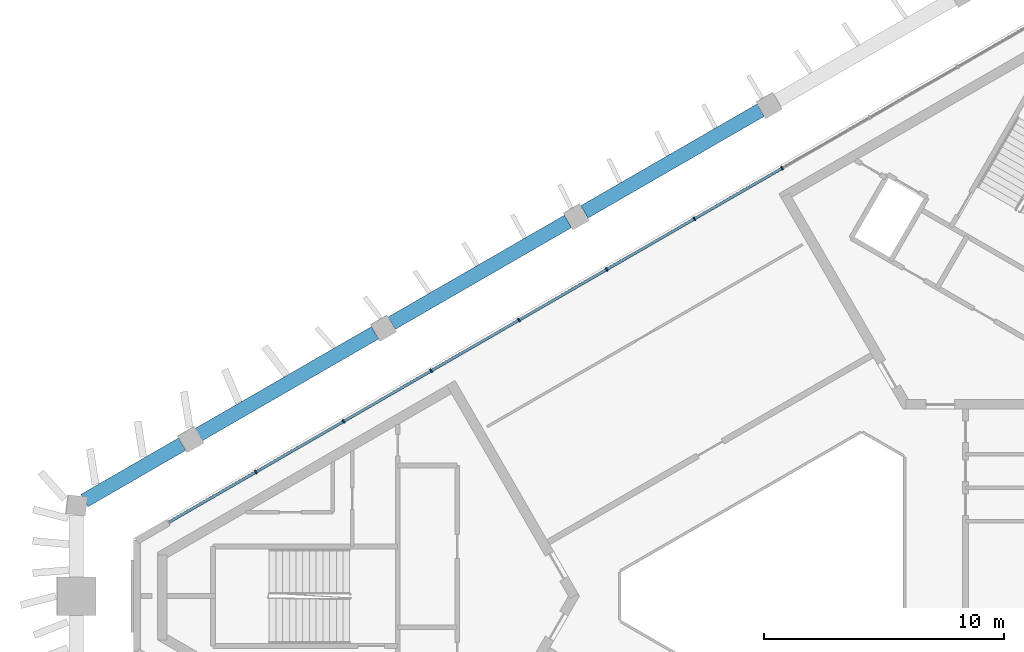
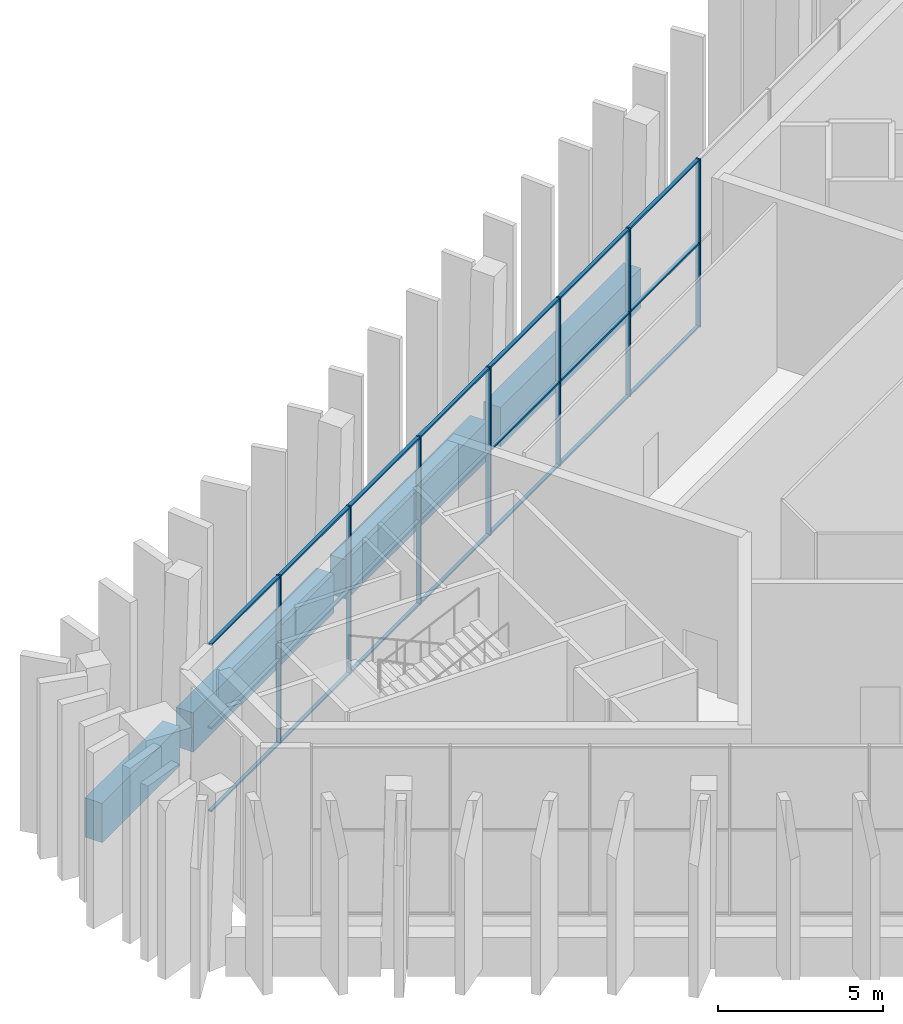
# One storey, part 5 of 13: 28 members, 4 beams, 1 element without a shape of its own.
"""IFC4 building model written with IfcOpenShell, lengths in metres."""

from ifc_helpers import new_model, si_unit, direction, frame, origin, origin_2d, place, context, subcontext, project, spatial, rectangle, extrude, material, layer, layer_set, material_profile, profile_set, type_object, element, aggregate, save


model = new_model("IFC4")

# Units and contexts
model_context = context("Model", 3, precision=1e-05, world=origin(), true_north=direction((0.0, 1.0)))
body_context = subcontext(model_context, "Body", "Model", "MODEL_VIEW")
ifc_project = project(units=[si_unit("LENGTHUNIT", "METRE"), si_unit("AREAUNIT", "SQUARE_METRE"), si_unit("VOLUMEUNIT", "CUBIC_METRE"), si_unit("PLANEANGLEUNIT", "RADIAN"), si_unit("MASSUNIT", "GRAM", prefix="KILO")], contexts=[model_context])

# Site, building, storey
site_placement = place(None, origin())
site = spatial("IfcSite", under=ifc_project, at=site_placement, CompositionType="ELEMENT")
building_placement = place(site_placement, origin())
building = spatial("IfcBuilding", under=site, at=building_placement, Name="Jabali Bay Hotel Tower and Convention Centre", CompositionType="ELEMENT")
storey_placement = place(building_placement, frame((0.0, 0.0, 315.800048828125)))
storey = spatial("IfcBuildingStorey", under=building, at=storey_placement, Name="L77", CompositionType="ELEMENT", Elevation=315.800048828125)

# Curtain wall, members
ifc_material_1 = material(Name="Aluminium and glass", Category="aluminium")
ifc_layer = layer(ifc_material_1, 0.159912109375)
ifc_layer_set = layer_set([ifc_layer], Name="Aluminium and glass")
curtain_wall_type = type_object("IfcCurtainWallType", Name="CW3 curtain wall", PredefinedType="NOTDEFINED", material=ifc_layer_set)
curtain_wall_placement = place(storey_placement, origin())
curtain_wall = element("IfcCurtainWall", 1, at=curtain_wall_placement, inside=storey, type_object=curtain_wall_type, Name="CW3 curtain wall north-west face L77", PredefinedType="NOTDEFINED")
ifc_material_2 = material(Name="Aluminium", Category="aluminium")
ifc_material_profile_1 = material_profile(ifc_material_2, rectangle(XDim=0.159912109375, YDim=0.06005859375, at=origin_2d()), Name="CW3 mullion 60 x 160")
ifc_profile_set_1 = profile_set([ifc_material_profile_1], Name="Aluminium")
member_type_1 = type_object("IfcMemberType", Name="CW3 mullion 60 x 160", PredefinedType="MULLION", material=ifc_profile_set_1)
member_1_placement = place(storey_placement, frame((52.503662109375, 85.17529296875, 0.0), z_axis=(0.0, 0.0, 1.0), x_axis=(-0.500000004081, 0.866025401428, 0.0)))
member_1 = element("IfcMember", 2, at=member_1_placement, type_object=member_type_1, Name="CW3 mullion 2", PredefinedType="MULLION", context=body_context, shape_type="SweptSolid", body=[
    extrude(rectangle(XDim=0.159912109375, YDim=0.06005859375, at=origin_2d()), origin(), (0.0, 0.0, 1.0), 6.199951171875),
])
member_2_placement = place(storey_placement, frame((56.16162109375, 87.287109375, 0.0), z_axis=(0.0, 0.0, 1.0), x_axis=(-0.500000004081, 0.866025401428, 0.0)))
member_2 = element("IfcMember", 3, at=member_2_placement, type_object=member_type_1, Name="CW3 mullion 3", PredefinedType="MULLION", context=body_context, shape_type="SweptSolid", body=[
    extrude(rectangle(XDim=0.159912109375, YDim=0.06005859375, at=origin_2d()), origin(), (0.0, 0.0, 1.0), 6.199951171875),
])
member_3_placement = place(storey_placement, frame((59.8193359375, 89.39892578125, 0.0), z_axis=(0.0, 0.0, 1.0), x_axis=(-0.500000004081, 0.866025401428, 0.0)))
member_3 = element("IfcMember", 4, at=member_3_placement, type_object=member_type_1, Name="CW3 mullion 4", PredefinedType="MULLION", context=body_context, shape_type="SweptSolid", body=[
    extrude(rectangle(XDim=0.159912109375, YDim=0.06005859375, at=origin_2d()), origin(), (0.0, 0.0, 1.0), 6.199951171875),
])
member_4_placement = place(storey_placement, frame((63.477294921875, 91.5107421875, 0.0), z_axis=(0.0, 0.0, 1.0), x_axis=(-0.500000004081, 0.866025401428, 0.0)))
member_4 = element("IfcMember", 5, at=member_4_placement, type_object=member_type_1, Name="CW3 mullion 5", PredefinedType="MULLION", context=body_context, shape_type="SweptSolid", body=[
    extrude(rectangle(XDim=0.159912109375, YDim=0.06005859375, at=origin_2d()), origin(), (0.0, 0.0, 1.0), 6.199951171875),
])
member_5_placement = place(storey_placement, frame((67.135009765625, 93.62255859375, 0.0), z_axis=(0.0, 0.0, 1.0), x_axis=(-0.500000004081, 0.866025401428, 0.0)))
member_5 = element("IfcMember", 6, at=member_5_placement, type_object=member_type_1, Name="CW3 mullion 6", PredefinedType="MULLION", context=body_context, shape_type="SweptSolid", body=[
    extrude(rectangle(XDim=0.159912109375, YDim=0.06005859375, at=origin_2d()), origin(), (0.0, 0.0, 1.0), 6.199951171875),
])
member_6_placement = place(storey_placement, frame((70.792724609375, 95.734375, 0.0), z_axis=(0.0, 0.0, 1.0), x_axis=(-0.500000004081, 0.866025401428, 0.0)))
member_6 = element("IfcMember", 7, at=member_6_placement, type_object=member_type_1, Name="CW3 mullion 7", PredefinedType="MULLION", context=body_context, shape_type="SweptSolid", body=[
    extrude(rectangle(XDim=0.159912109375, YDim=0.06005859375, at=origin_2d()), origin(), (0.0, 0.0, 1.0), 6.199951171875),
])
member_7_placement = place(storey_placement, frame((74.45068359375, 97.84619140625, 0.0), z_axis=(0.0, 0.0, 1.0), x_axis=(-0.500000004081, 0.866025401428, 0.0)))
member_7 = element("IfcMember", 8, at=member_7_placement, type_object=member_type_1, Name="CW3 mullion 8", PredefinedType="MULLION", context=body_context, shape_type="SweptSolid", body=[
    extrude(rectangle(XDim=0.159912109375, YDim=0.06005859375, at=origin_2d()), origin(), (0.0, 0.0, 1.0), 6.199951171875),
])
ifc_material_profile_2 = material_profile(ifc_material_2, rectangle(XDim=0.1201171875, YDim=0.06005859375, at=origin_2d()), Name="CW3 transom 60 x 120")
ifc_profile_set_2 = profile_set([ifc_material_profile_2], Name="Aluminium")
member_type_2 = type_object("IfcMemberType", Name="CW3 transom 60 x 120", PredefinedType="USERDEFINED", material=ifc_profile_set_2)
member_8_placement = place(storey_placement, frame((48.89794921875, 83.093505859375, 0.030029296875), z_axis=(0.866042973266, 0.49996956753, 0.0), x_axis=(-0.49996956753, 0.866042973266, 0.0)))
member_8 = element("IfcMember", 9, at=member_8_placement, type_object=member_type_2, Name="CW3 transom 1.1", ObjectType="TRANSOM", PredefinedType="USERDEFINED", context=body_context, shape_type="SweptSolid", body=[
    extrude(rectangle(XDim=0.1201171875, YDim=0.06005859375, at=origin_2d()), origin(), (0.0, 0.0, 1.0), 4.133544921875),
])
member_9_placement = place(storey_placement, frame((48.89794921875, 83.093505859375, 3.099853515625), z_axis=(0.866042973266, 0.49996956753, 0.0), x_axis=(-0.49996956753, 0.866042973266, 0.0)))
member_9 = element("IfcMember", 10, at=member_9_placement, type_object=member_type_2, Name="CW3 transom 1.2", ObjectType="TRANSOM", PredefinedType="USERDEFINED", context=body_context, shape_type="SweptSolid", body=[
    extrude(rectangle(XDim=0.1201171875, YDim=0.06005859375, at=origin_2d()), origin(), (0.0, 0.0, 1.0), 4.133544921875),
])
member_10_placement = place(storey_placement, frame((48.89794921875, 83.093505859375, 6.169921875), z_axis=(0.866042973266, 0.49996956753, 0.0), x_axis=(-0.49996956753, 0.866042973266, 0.0)))
member_10 = element("IfcMember", 11, at=member_10_placement, type_object=member_type_2, Name="CW3 transom 1.3", ObjectType="TRANSOM", PredefinedType="USERDEFINED", context=body_context, shape_type="SweptSolid", body=[
    extrude(rectangle(XDim=0.1201171875, YDim=0.06005859375, at=origin_2d()), origin(), (0.0, 0.0, 1.0), 4.133544921875),
])
member_11_placement = place(storey_placement, frame((52.52978515625, 85.190185546875, 0.030029296875), z_axis=(0.866022512394, 0.500005008002, 0.0), x_axis=(-0.500005008002, 0.866022512394, 0.0)))
member_11 = element("IfcMember", 12, at=member_11_placement, type_object=member_type_2, Name="CW3 transom 2.1", ObjectType="TRANSOM", PredefinedType="USERDEFINED", context=body_context, shape_type="SweptSolid", body=[
    extrude(rectangle(XDim=0.1201171875, YDim=0.06005859375, at=origin_2d()), origin(), (0.0, 0.0, 1.0), 4.16357421875),
])
member_12_placement = place(storey_placement, frame((52.52978515625, 85.190185546875, 3.099853515625), z_axis=(0.866022512394, 0.500005008002, 0.0), x_axis=(-0.500005008002, 0.866022512394, 0.0)))
member_12 = element("IfcMember", 13, at=member_12_placement, type_object=member_type_2, Name="CW3 transom 2.2", ObjectType="TRANSOM", PredefinedType="USERDEFINED", context=body_context, shape_type="SweptSolid", body=[
    extrude(rectangle(XDim=0.1201171875, YDim=0.06005859375, at=origin_2d()), origin(), (0.0, 0.0, 1.0), 4.16357421875),
])
member_13_placement = place(storey_placement, frame((52.52978515625, 85.190185546875, 6.169921875), z_axis=(0.866022512394, 0.500005008002, 0.0), x_axis=(-0.500005008002, 0.866022512394, 0.0)))
member_13 = element("IfcMember", 14, at=member_13_placement, type_object=member_type_2, Name="CW3 transom 2.3", ObjectType="TRANSOM", PredefinedType="USERDEFINED", context=body_context, shape_type="SweptSolid", body=[
    extrude(rectangle(XDim=0.1201171875, YDim=0.06005859375, at=origin_2d()), origin(), (0.0, 0.0, 1.0), 4.16357421875),
])
member_14_placement = place(storey_placement, frame((56.1875, 87.302001953125, 0.030029296875), z_axis=(0.866037171035, 0.49997961797, 0.0), x_axis=(-0.49997961797, 0.866037171035, 0.0)))
member_14 = element("IfcMember", 15, at=member_14_placement, type_object=member_type_2, Name="CW3 transom 3.1", ObjectType="TRANSOM", PredefinedType="USERDEFINED", context=body_context, shape_type="SweptSolid", body=[
    extrude(rectangle(XDim=0.1201171875, YDim=0.06005859375, at=origin_2d()), origin(), (0.0, 0.0, 1.0), 4.163818359375),
])
member_15_placement = place(storey_placement, frame((56.1875, 87.302001953125, 3.099853515625), z_axis=(0.866037171035, 0.49997961797, 0.0), x_axis=(-0.49997961797, 0.866037171035, 0.0)))
member_15 = element("IfcMember", 16, at=member_15_placement, type_object=member_type_2, Name="CW3 transom 3.2", ObjectType="TRANSOM", PredefinedType="USERDEFINED", context=body_context, shape_type="SweptSolid", body=[
    extrude(rectangle(XDim=0.1201171875, YDim=0.06005859375, at=origin_2d()), origin(), (0.0, 0.0, 1.0), 4.163818359375),
])
member_16_placement = place(storey_placement, frame((56.1875, 87.302001953125, 6.169921875), z_axis=(0.866037171035, 0.49997961797, 0.0), x_axis=(-0.49997961797, 0.866037171035, 0.0)))
member_16 = element("IfcMember", 17, at=member_16_placement, type_object=member_type_2, Name="CW3 transom 3.3", ObjectType="TRANSOM", PredefinedType="USERDEFINED", context=body_context, shape_type="SweptSolid", body=[
    extrude(rectangle(XDim=0.1201171875, YDim=0.06005859375, at=origin_2d()), origin(), (0.0, 0.0, 1.0), 4.163818359375),
])
member_17_placement = place(storey_placement, frame((59.845458984375, 89.413818359375, 0.030029296875), z_axis=(0.865997120915, 0.500048984167, 0.0), x_axis=(-0.500048984167, 0.865997120915, 0.0)))
member_17 = element("IfcMember", 18, at=member_17_placement, type_object=member_type_2, Name="CW3 transom 4.1", ObjectType="TRANSOM", PredefinedType="USERDEFINED", context=body_context, shape_type="SweptSolid", body=[
    extrude(rectangle(XDim=0.1201171875, YDim=0.06005859375, at=origin_2d()), origin(), (0.0, 0.0, 1.0), 4.16357421875),
])
member_18_placement = place(storey_placement, frame((59.845458984375, 89.413818359375, 3.099853515625), z_axis=(0.865997120915, 0.500048984167, 0.0), x_axis=(-0.500048984167, 0.865997120915, 0.0)))
member_18 = element("IfcMember", 19, at=member_18_placement, type_object=member_type_2, Name="CW3 transom 4.2", ObjectType="TRANSOM", PredefinedType="USERDEFINED", context=body_context, shape_type="SweptSolid", body=[
    extrude(rectangle(XDim=0.1201171875, YDim=0.06005859375, at=origin_2d()), origin(), (0.0, 0.0, 1.0), 4.16357421875),
])
member_19_placement = place(storey_placement, frame((59.845458984375, 89.413818359375, 6.169921875), z_axis=(0.865997120915, 0.500048984167, 0.0), x_axis=(-0.500048984167, 0.865997120915, 0.0)))
member_19 = element("IfcMember", 20, at=member_19_placement, type_object=member_type_2, Name="CW3 transom 4.3", ObjectType="TRANSOM", PredefinedType="USERDEFINED", context=body_context, shape_type="SweptSolid", body=[
    extrude(rectangle(XDim=0.1201171875, YDim=0.06005859375, at=origin_2d()), origin(), (0.0, 0.0, 1.0), 4.16357421875),
])
member_20_placement = place(storey_placement, frame((63.503173828125, 91.525634765625, 0.030029296875), z_axis=(0.866011781705, 0.500023593391, 0.0), x_axis=(-0.500023593391, 0.866011781705, 0.0)))
member_20 = element("IfcMember", 21, at=member_20_placement, type_object=member_type_2, Name="CW3 transom 5.1", ObjectType="TRANSOM", PredefinedType="USERDEFINED", context=body_context, shape_type="SweptSolid", body=[
    extrude(rectangle(XDim=0.1201171875, YDim=0.06005859375, at=origin_2d()), origin(), (0.0, 0.0, 1.0), 4.163818359375),
])
member_21_placement = place(storey_placement, frame((63.503173828125, 91.525634765625, 3.099853515625), z_axis=(0.866011781705, 0.500023593391, 0.0), x_axis=(-0.500023593391, 0.866011781705, 0.0)))
member_21 = element("IfcMember", 22, at=member_21_placement, type_object=member_type_2, Name="CW3 transom 5.2", ObjectType="TRANSOM", PredefinedType="USERDEFINED", context=body_context, shape_type="SweptSolid", body=[
    extrude(rectangle(XDim=0.1201171875, YDim=0.06005859375, at=origin_2d()), origin(), (0.0, 0.0, 1.0), 4.163818359375),
])
member_22_placement = place(storey_placement, frame((63.503173828125, 91.525634765625, 6.169921875), z_axis=(0.866011781705, 0.500023593391, 0.0), x_axis=(-0.500023593391, 0.866011781705, 0.0)))
member_22 = element("IfcMember", 23, at=member_22_placement, type_object=member_type_2, Name="CW3 transom 5.3", ObjectType="TRANSOM", PredefinedType="USERDEFINED", context=body_context, shape_type="SweptSolid", body=[
    extrude(rectangle(XDim=0.1201171875, YDim=0.06005859375, at=origin_2d()), origin(), (0.0, 0.0, 1.0), 4.163818359375),
])
member_23_placement = place(storey_placement, frame((67.160888671875, 93.6376953125, 0.030029296875), z_axis=(0.866037171035, 0.49997961797, 0.0), x_axis=(-0.49997961797, 0.866037171035, 0.0)))
member_23 = element("IfcMember", 24, at=member_23_placement, type_object=member_type_2, Name="CW3 transom 6.1", ObjectType="TRANSOM", PredefinedType="USERDEFINED", context=body_context, shape_type="SweptSolid", body=[
    extrude(rectangle(XDim=0.1201171875, YDim=0.06005859375, at=origin_2d()), origin(), (0.0, 0.0, 1.0), 4.163818359375),
])
member_24_placement = place(storey_placement, frame((67.160888671875, 93.6376953125, 3.099853515625), z_axis=(0.866037171035, 0.49997961797, 0.0), x_axis=(-0.49997961797, 0.866037171035, 0.0)))
member_24 = element("IfcMember", 25, at=member_24_placement, type_object=member_type_2, Name="CW3 transom 6.2", ObjectType="TRANSOM", PredefinedType="USERDEFINED", context=body_context, shape_type="SweptSolid", body=[
    extrude(rectangle(XDim=0.1201171875, YDim=0.06005859375, at=origin_2d()), origin(), (0.0, 0.0, 1.0), 4.163818359375),
])
member_25_placement = place(storey_placement, frame((67.160888671875, 93.6376953125, 6.169921875), z_axis=(0.866037171035, 0.49997961797, 0.0), x_axis=(-0.49997961797, 0.866037171035, 0.0)))
member_25 = element("IfcMember", 26, at=member_25_placement, type_object=member_type_2, Name="CW3 transom 6.3", ObjectType="TRANSOM", PredefinedType="USERDEFINED", context=body_context, shape_type="SweptSolid", body=[
    extrude(rectangle(XDim=0.1201171875, YDim=0.06005859375, at=origin_2d()), origin(), (0.0, 0.0, 1.0), 4.163818359375),
])
member_26_placement = place(storey_placement, frame((70.81884765625, 95.74951171875, 0.030029296875), z_axis=(0.866022512394, 0.500005008002, 0.0), x_axis=(-0.500005008002, 0.866022512394, 0.0)))
member_26 = element("IfcMember", 27, at=member_26_placement, type_object=member_type_2, Name="CW3 transom 7.1", ObjectType="TRANSOM", PredefinedType="USERDEFINED", context=body_context, shape_type="SweptSolid", body=[
    extrude(rectangle(XDim=0.1201171875, YDim=0.06005859375, at=origin_2d()), origin(), (0.0, 0.0, 1.0), 4.16357421875),
])
member_27_placement = place(storey_placement, frame((70.81884765625, 95.74951171875, 3.099853515625), z_axis=(0.866022512394, 0.500005008002, 0.0), x_axis=(-0.500005008002, 0.866022512394, 0.0)))
member_27 = element("IfcMember", 28, at=member_27_placement, type_object=member_type_2, Name="CW3 transom 7.2", ObjectType="TRANSOM", PredefinedType="USERDEFINED", context=body_context, shape_type="SweptSolid", body=[
    extrude(rectangle(XDim=0.1201171875, YDim=0.06005859375, at=origin_2d()), origin(), (0.0, 0.0, 1.0), 4.16357421875),
])
member_28_placement = place(storey_placement, frame((70.81884765625, 95.74951171875, 6.169921875), z_axis=(0.866022512394, 0.500005008002, 0.0), x_axis=(-0.500005008002, 0.866022512394, 0.0)))
member_28 = element("IfcMember", 29, at=member_28_placement, type_object=member_type_2, Name="CW3 transom 7.3", ObjectType="TRANSOM", PredefinedType="USERDEFINED", context=body_context, shape_type="SweptSolid", body=[
    extrude(rectangle(XDim=0.1201171875, YDim=0.06005859375, at=origin_2d()), origin(), (0.0, 0.0, 1.0), 4.16357421875),
])
aggregate(curtain_wall, [member_1, member_2, member_3, member_4, member_5, member_6, member_7, member_8, member_9, member_10, member_11, member_12, member_13, member_14, member_15, member_16, member_17, member_18, member_19, member_20, member_21, member_22, member_23, member_24, member_25, member_26, member_27, member_28])

# Beams
ifc_material_3 = material(Name="Concrete C60", Category="concrete")
ifc_material_profile_3 = material_profile(ifc_material_3, rectangle(XDim=0.60009765625, YDim=1.449951171875, at=origin_2d()), Name="Spandrel 600x1450")
ifc_profile_set_3 = profile_set([ifc_material_profile_3], Name="Concrete C60")
beam_type = type_object("IfcBeamType", Name="Spandrel 600x1450", PredefinedType="SPANDREL", material=ifc_profile_set_3)
for number, where, z_axis, x_axis, name in (
    (30, (73.56103515625, 100.268310546875, 0.375), (-0.866030874578, -0.499990524188, 0.0), (0.499990524188, -0.866030874578, 0.0), "Spandrel F1.2-F1.3 L77"),
    (31, (65.517333984375, 95.624267578125, 0.375), (-0.866030874578, -0.499990524188, 0.0), (0.499990524188, -0.866030874578, 0.0), "Spandrel F1.3-F1.4 L77"),
    (32, (57.4736328125, 90.980224609375, 0.375), (-0.866030874578, -0.499990524188, 0.0), (0.499990524188, -0.866030874578, 0.0), "Spandrel F1.4-F1.5 L77"),
):
    element("IfcBeam", number, at=place(storey_placement, frame(where, z_axis=z_axis, x_axis=x_axis)), inside=storey, type_object=beam_type, Name=name, PredefinedType="SPANDREL", context=body_context, shape_type="SweptSolid", body=[
        extrude(rectangle(XDim=0.60009765625, YDim=1.449951171875, at=origin_2d()), origin(), (0.0, 0.0, 1.0), 8.488037109375),
    ])
beam_placement = place(storey_placement, frame((49.429931640625, 86.33642578125, 0.375), z_axis=(-0.866027409508, -0.499996525969, 0.0), x_axis=(0.499996525969, -0.866027409508, 0.0)))
element("IfcBeam", 33, at=beam_placement, inside=storey, type_object=beam_type, Name="Spandrel F1.5-V3 L77", PredefinedType="SPANDREL", context=body_context, shape_type="SweptSolid", body=[
    extrude(rectangle(XDim=0.60009765625, YDim=1.449951171875, at=origin_2d()), origin(), (0.0, 0.0, 1.0), 4.70361328125),
])

save(model, "model.ifc")
